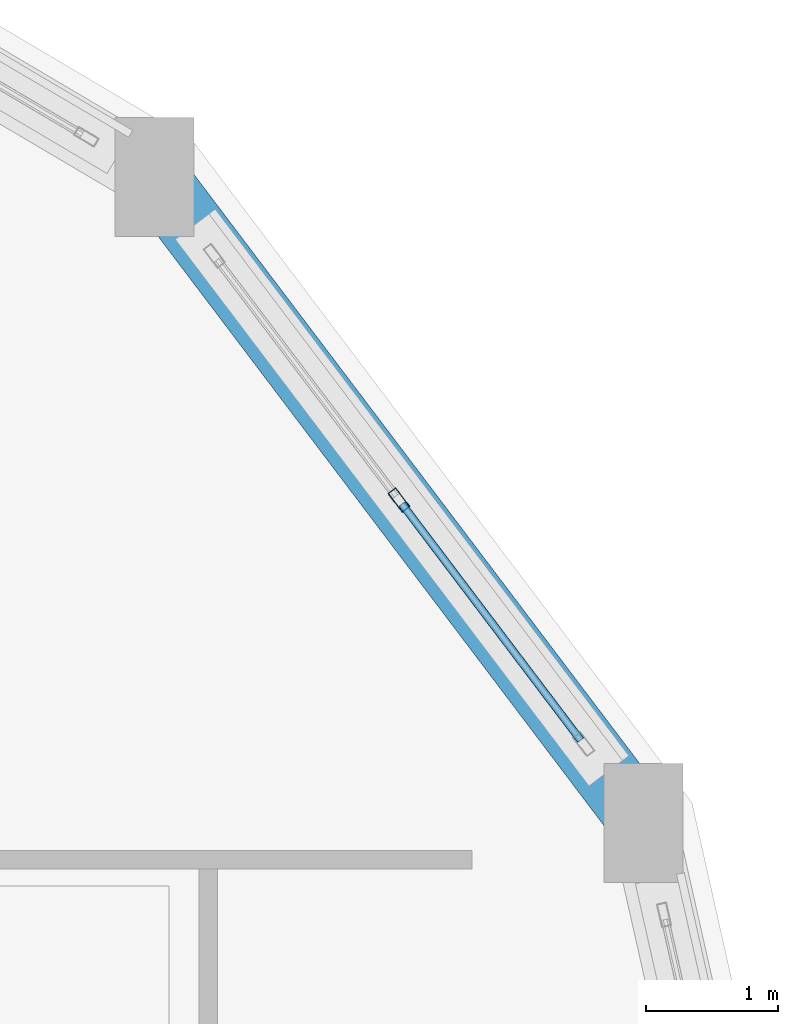
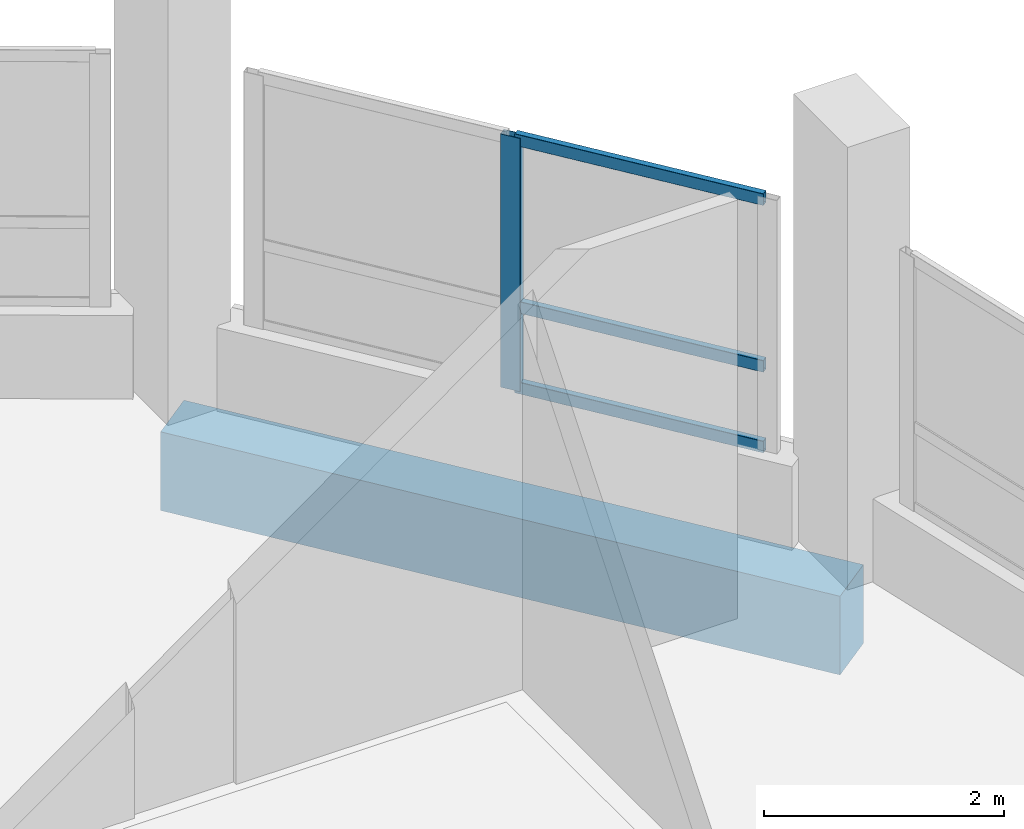
# One storey, part 94 of 129: 4 members, 1 beam, 1 element without a shape of its own.
"""IFC4 building model written with IfcOpenShell, lengths in metres."""

from ifc_helpers import new_model, si_unit, direction, frame, origin, origin_2d, place, context, subcontext, project, spatial, rectangle, hollow_rectangle, extrude, material, layer, layer_set, material_profile, profile_set, type_object, element, aggregate, save


model = new_model("IFC4")

# Units and contexts
model_context = context("Model", 3, precision=1e-05, world=origin(), true_north=direction((0.0, 1.0)))
body_context = subcontext(model_context, "Body", "Model", "MODEL_VIEW")
ifc_project = project(units=[si_unit("LENGTHUNIT", "METRE"), si_unit("AREAUNIT", "SQUARE_METRE"), si_unit("VOLUMEUNIT", "CUBIC_METRE"), si_unit("PLANEANGLEUNIT", "RADIAN"), si_unit("MASSUNIT", "GRAM", prefix="KILO")], contexts=[model_context])

# Site, building, storey
site_placement = place(None, origin())
site = spatial("IfcSite", under=ifc_project, at=site_placement, CompositionType="ELEMENT")
building_placement = place(site_placement, origin())
building = spatial("IfcBuilding", under=site, at=building_placement, Name="Vespera Passage Community Centre", CompositionType="ELEMENT")
storey_placement = place(building_placement, origin())
storey = spatial("IfcBuildingStorey", under=building, at=storey_placement, Name="L00", CompositionType="ELEMENT", Elevation=0.0)

# Beam
ifc_material_1 = material(Name="Concrete f'c 35 MPa", Category="concrete")
ifc_material_profile_1 = material_profile(ifc_material_1, rectangle(XDim=0.5, YDim=0.800048828125, at=origin_2d()), Name="RC500X800")
ifc_profile_set_1 = profile_set([ifc_material_profile_1], Name="Concrete f'c 35 MPa")
beam_type = type_object("IfcBeamType", Name="BM-SP-500X800E", PredefinedType="SPANDREL", material=ifc_profile_set_1)
beam_placement = place(storey_placement, frame((158.79833984375, 95.278564453125, -0.679931640625), z_axis=(-0.603409203322, 0.797431710773, 0.0), x_axis=(-0.797431710773, -0.603409203322, 0.0)))
element("IfcBeam", 1, at=beam_placement, inside=storey, type_object=beam_type, Name="V2 L00 Perimeter Spandrel 2", PredefinedType="SPANDREL", context=body_context, shape_type="SweptSolid", body=[
    extrude(rectangle(XDim=0.5, YDim=0.800048828125, at=origin_2d()), origin(), (0.0, 0.0, 1.0), 6.14306640625),
])

# Curtain wall, members
ifc_material_2 = material(Name="Anodized aluminium 6063-T6", Category="aluminium")
ifc_layer = layer(ifc_material_2, 0.159912109375)
ifc_layer_set = layer_set([ifc_layer], Name="Anodized aluminium 6063-T6")
curtain_wall_type = type_object("IfcCurtainWallType", Name="CW-90E", PredefinedType="NOTDEFINED", material=ifc_layer_set)
curtain_wall_placement = place(storey_placement, origin())
curtain_wall = element("IfcCurtainWall", 2, at=curtain_wall_placement, inside=storey, type_object=curtain_wall_type, Name="Sports Drum Ribbon Curtain Wall L00.2", PredefinedType="NOTDEFINED")
ifc_material_3 = material(Name="Anodized aluminium 6063-T6", Category="aluminium")
ifc_material_profile_2 = material_profile(ifc_material_3, hollow_rectangle(XDim=0.074951171875, YDim=0.179931640625, WallThickness=0.0048828125, InnerFilletRadius=0.00244140625, OuterFilletRadius=0.0048828125, at=origin_2d()), Name="ALU180X75X5")
ifc_profile_set_2 = profile_set([ifc_material_profile_2], Name="Anodized aluminium 6063-T6")
member_type_1 = type_object("IfcMemberType", Name="MB-CWM-180E", PredefinedType="MULLION", material=ifc_profile_set_2)
member_1_placement = place(storey_placement, frame((156.94482421875, 97.727783203125, 0.85009765625), z_axis=(0.0, 0.0, 1.0), x_axis=(0.797434495654, 0.603405522961, 0.0)))
member_1 = element("IfcMember", 3, at=member_1_placement, type_object=member_type_1, Name="CW-90E mullion 2", PredefinedType="MULLION", context=body_context, shape_type="SweptSolid", body=[
    extrude(hollow_rectangle(XDim=0.074951171875, YDim=0.179931640625, WallThickness=0.0048828125, InnerFilletRadius=0.00244140625, OuterFilletRadius=0.0048828125, at=origin_2d()), origin(), (0.0, 0.0, 1.0), 2.574951171875),
])
ifc_material_4 = material(Name="Anodized aluminium 6063-T6", Category="aluminium")
ifc_material_profile_3 = material_profile(ifc_material_4, hollow_rectangle(XDim=0.06005859375, YDim=0.1201171875, WallThickness=0.00390625, InnerFilletRadius=0.001953125, OuterFilletRadius=0.00390625, at=origin_2d()), Name="ALU120X60X4")
ifc_profile_set_3 = profile_set([ifc_material_profile_3], Name="Anodized aluminium 6063-T6")
member_type_2 = type_object("IfcMemberType", Name="MB-CWT-120E", PredefinedType="USERDEFINED", material=ifc_profile_set_3)
member_2_placement = place(storey_placement, frame((156.967529296875, 97.697998046875, 0.8798828125), z_axis=(0.603384780926, -0.797450190386, 0.0), x_axis=(0.797450190386, 0.603384780926, 0.0)))
member_2 = element("IfcMember", 4, at=member_2_placement, type_object=member_type_2, Name="CW-90E transom 2.1", ObjectType="TRANSOM", PredefinedType="USERDEFINED", context=body_context, shape_type="SweptSolid", body=[
    extrude(hollow_rectangle(XDim=0.06005859375, YDim=0.1201171875, WallThickness=0.00390625, InnerFilletRadius=0.001953125, OuterFilletRadius=0.00390625, at=origin_2d()), origin(), (0.0, 0.0, 1.0), 2.246826171875),
])
member_3_placement = place(storey_placement, frame((156.967529296875, 97.697998046875, 1.699951171875), z_axis=(0.603384780926, -0.797450190386, 0.0), x_axis=(0.797450190386, 0.603384780926, 0.0)))
member_3 = element("IfcMember", 5, at=member_3_placement, type_object=member_type_2, Name="CW-90E transom 2.2", ObjectType="TRANSOM", PredefinedType="USERDEFINED", context=body_context, shape_type="SweptSolid", body=[
    extrude(hollow_rectangle(XDim=0.06005859375, YDim=0.1201171875, WallThickness=0.00390625, InnerFilletRadius=0.001953125, OuterFilletRadius=0.00390625, at=origin_2d()), origin(), (0.0, 0.0, 1.0), 2.246826171875),
])
member_4_placement = place(storey_placement, frame((156.967529296875, 97.697998046875, 3.39501953125), z_axis=(0.603384780926, -0.797450190386, 0.0), x_axis=(0.797450190386, 0.603384780926, 0.0)))
member_4 = element("IfcMember", 6, at=member_4_placement, type_object=member_type_2, Name="CW-90E transom 2.3", ObjectType="TRANSOM", PredefinedType="USERDEFINED", context=body_context, shape_type="SweptSolid", body=[
    extrude(hollow_rectangle(XDim=0.06005859375, YDim=0.1201171875, WallThickness=0.00390625, InnerFilletRadius=0.001953125, OuterFilletRadius=0.00390625, at=origin_2d()), origin(), (0.0, 0.0, 1.0), 2.246826171875),
])
aggregate(curtain_wall, [member_1, member_2, member_3, member_4])

save(model, "model.ifc")
